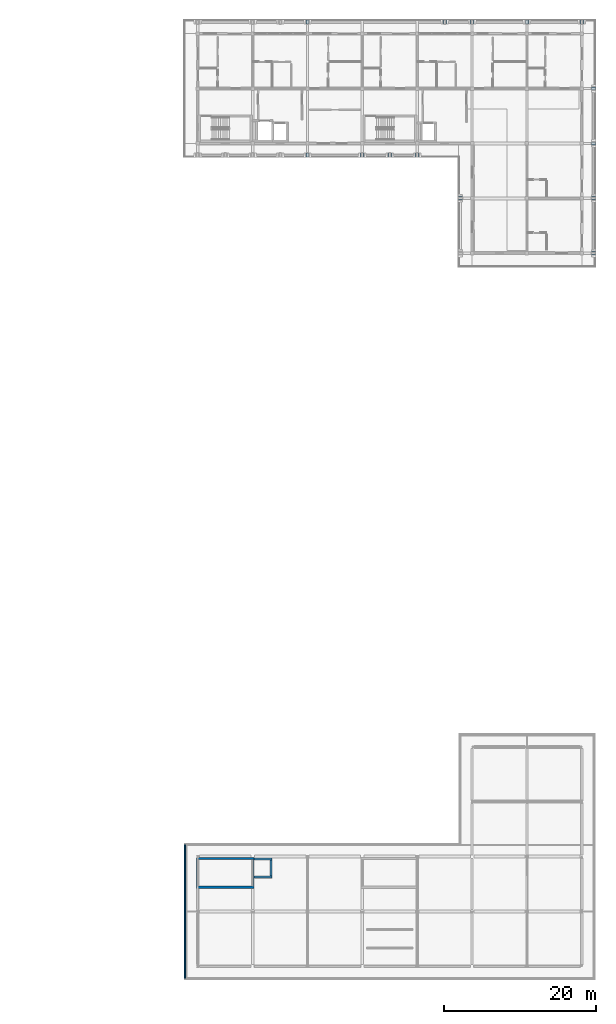
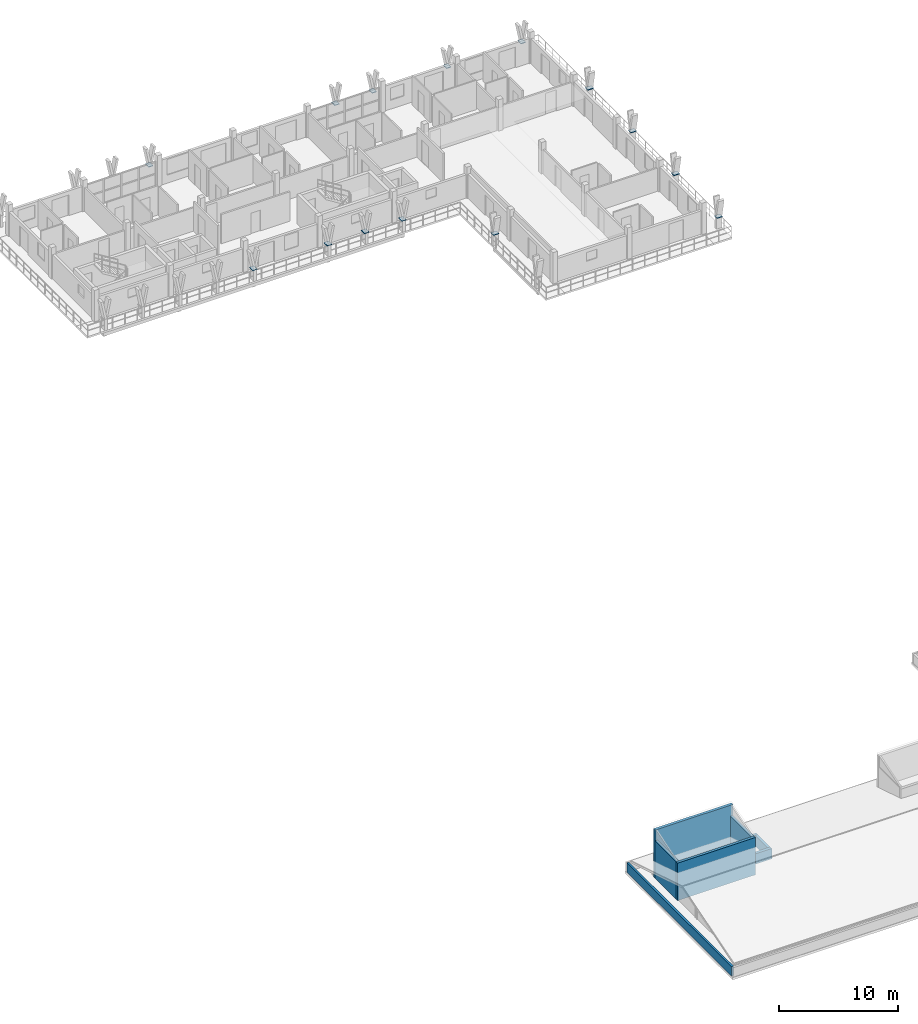
# One storey, part 26 of 45: 14 plates, 8 walls.
"""IFC4 building model written with IfcOpenShell, lengths in metres."""

from ifc_helpers import new_model, si_unit, direction, frame, frame_2d, origin, origin_2d, place, context, subcontext, project, spatial, rectangle, extrude, material, layer, layer_set, type_object, element, save


model = new_model("IFC4")

# Units and contexts
model_context = context("Model", 3, precision=1e-05, world=origin(), true_north=direction((0.0, 1.0)))
body_context = subcontext(model_context, "Body", "Model", "MODEL_VIEW")
ifc_project = project(units=[si_unit("LENGTHUNIT", "METRE"), si_unit("AREAUNIT", "SQUARE_METRE"), si_unit("VOLUMEUNIT", "CUBIC_METRE"), si_unit("PLANEANGLEUNIT", "RADIAN"), si_unit("MASSUNIT", "GRAM", prefix="KILO")], contexts=[model_context])

# Site, building, storey
site_placement = place(None, origin())
site = spatial("IfcSite", under=ifc_project, at=site_placement, CompositionType="ELEMENT")
building_placement = place(site_placement, origin())
building = spatial("IfcBuilding", under=site, at=building_placement, Name="Suanplinth Sawtooth Commons", CompositionType="ELEMENT")
storey_placement = place(building_placement, frame((0.0, 0.0, 38.0)))
storey = spatial("IfcBuildingStorey", under=building, at=storey_placement, Name="L11", CompositionType="ELEMENT", Elevation=38.0)

# Plates
ifc_material_1 = material(Name="Pigmented precast concrete C40/50", Category="concrete")
ifc_layer_1 = layer(ifc_material_1, 0.06005859375, Name="Precast Y-blade bifurcation node plate 60mm")
ifc_layer_set_1 = layer_set([ifc_layer_1], Name="Pigmented precast concrete C40/50")
plate_type = type_object("IfcPlateType", Name="PL-04", PredefinedType="USERDEFINED", material=ifc_layer_set_1)
for number, where, z_axis, x_axis, name in (
    (1, (151.199951171875, 123.919921875, 1.119873046875), (0.0, 0.0, 1.0), (1.0, 0.0, 0.0), "Y-Blade Node Plate L11-B-N-04"),
    (2, (169.199951171875, 123.919921875, 1.119873046875), (0.0, 0.0, 1.0), (1.0, 0.0, 0.0), "Y-Blade Node Plate L11-B-N-05"),
    (3, (172.800048828125, 123.919921875, 1.119873046875), (0.0, 0.0, 1.0), (1.0, 0.0, 0.0), "Y-Blade Node Plate L11-B-N-06"),
    (4, (180.0, 123.919921875, 1.119873046875), (0.0, 0.0, 1.0), (1.0, 0.0, 0.0), "Y-Blade Node Plate L11-B-N-07"),
    (5, (187.199951171875, 123.919921875, 1.119873046875), (0.0, 0.0, 1.0), (1.0, 0.0, 0.0), "Y-Blade Node Plate L11-B-N-08"),
    (6, (188.719970703125, 93.60009765625, 1.119873046875), (0.0, 0.0, 1.0), (0.0, 1.0, 0.0), "Y-Blade Node Plate L11-B-E-09"),
    (7, (188.719970703125, 100.800048828125, 1.119873046875), (0.0, 0.0, 1.0), (0.0, 1.0, 0.0), "Y-Blade Node Plate L11-B-E-10"),
    (8, (188.719970703125, 108.0, 1.119873046875), (0.0, 0.0, 1.0), (0.0, 1.0, 0.0), "Y-Blade Node Plate L11-B-E-11"),
    (9, (188.719970703125, 115.199951171875, 1.119873046875), (0.0, 0.0, 1.0), (0.0, 1.0, 0.0), "Y-Blade Node Plate L11-B-E-12"),
    (10, (151.199951171875, 106.47998046875, 1.119873046875), (0.0, 0.0, 1.0), (1.0, 0.0, 0.0), "Y-Blade Node Plate L11-B-SC-17"),
    (11, (158.39990234375, 106.47998046875, 1.119873046875), (0.0, 0.0, 1.0), (1.0, 0.0, 0.0), "Y-Blade Node Plate L11-B-SC-18"),
    (12, (162.0, 106.47998046875, 1.119873046875), (0.0, 0.0, 1.0), (1.0, 0.0, 0.0), "Y-Blade Node Plate L11-B-SC-19"),
    (13, (165.60009765625, 106.47998046875, 1.119873046875), (0.0, 0.0, 1.0), (1.0, 0.0, 0.0), "Y-Blade Node Plate L11-B-SC-20"),
    (14, (171.280029296875, 100.800048828125, 1.119873046875), (0.0, 0.0, 1.0), (0.0, 1.0, 0.0), "Y-Blade Node Plate L11-B-WC-22"),
):
    element("IfcPlate", number, at=place(storey_placement, frame(where, z_axis=z_axis, x_axis=x_axis)), inside=storey, type_object=plate_type, Name=name, ObjectType="GUSSET PLATE", PredefinedType="USERDEFINED", context=body_context, shape_type="SweptSolid", body=[
        extrude(rectangle(XDim=0.43994140625, YDim=0.550048828125, at=origin_2d()), origin(), (0.0, 0.0, 1.0), 0.06005859375),
    ])

# Walls
ifc_material_2 = material(Name="Precast concrete C40/50", Category="concrete")
ifc_layer_2 = layer(ifc_material_2, 0.199951171875, Name="Roof perimeter precast parapet wall 200mm")
ifc_layer_set_2 = layer_set([ifc_layer_2], Name="Precast concrete C40/50")
wall_type_1 = type_object("IfcWallType", Name="W-PR01", PredefinedType="PARAPET", material=ifc_layer_set_2)
wall_1_placement = place(storey_placement, frame((135.139892578125, -1.56005859375, 0.0), z_axis=(0.0, 0.0, 1.0), x_axis=(0.0, 1.0, 0.0)))
element("IfcWall", 15, at=wall_1_placement, inside=storey, type_object=wall_type_1, Name="L11 Block C Overhanging Roof Edge Parapet 2", PredefinedType="PARAPET", context=body_context, shape_type="SweptSolid", body=[
    extrude(rectangle(XDim=17.52001953125, YDim=0.199951171875, at=frame_2d((8.760009765625, 0.0))), origin(), (0.0, 0.0, 1.0), 0.949951171875),
])
ifc_layer_3 = layer(ifc_material_2, 0.27001953125, Name="Exterior lift-overrun structural shear wall 270mm")
ifc_layer_set_3 = layer_set([ifc_layer_3], Name="Precast concrete C40/50")
wall_type_2 = type_object("IfcWallType", Name="W-SH02", PredefinedType="SHEAR", material=ifc_layer_set_3)
wall_2_placement = place(storey_placement, frame((136.635009765625, 10.3701171875, 0.0), z_axis=(0.0, 0.0, 1.0), x_axis=(1.0, 0.0, 0.0)))
element("IfcWall", 16, at=wall_2_placement, inside=storey, type_object=wall_type_2, Name="Stair ST-S1 Headhouse Wall S", PredefinedType="SHEAR", context=body_context, shape_type="SweptSolid", body=[
    extrude(rectangle(XDim=7.530029296875, YDim=0.27001953125, at=frame_2d((3.76513671875, 0.0))), origin(), (0.0, 0.0, 1.0), 3.820068359375),
])
wall_3_placement = place(storey_placement, frame((136.635009765625, 14.1298828125, 0.0), z_axis=(0.0, 0.0, 1.0), x_axis=(1.0, 0.0, 0.0)))
element("IfcWall", 17, at=wall_3_placement, inside=storey, type_object=wall_type_2, Name="Stair ST-S1 Headhouse Wall N", PredefinedType="SHEAR", context=body_context, shape_type="SweptSolid", body=[
    extrude(rectangle(XDim=7.530029296875, YDim=0.27001953125, at=frame_2d((3.76513671875, 0.0))), origin(), (0.0, 0.0, 1.0), 4.919921875),
])
for number, where, z_axis, x_axis, name in (
    (18, (136.77001953125, 10.5048828125, 0.0), (0.0, 0.0, 1.0), (0.0, 1.0, 0.0), "Stair ST-S1 Headhouse Wall W"),
    (19, (144.030029296875, 10.5048828125, 0.0), (0.0, 0.0, 1.0), (0.0, 1.0, 0.0), "Stair ST-S1 Headhouse Wall E"),
):
    element("IfcWall", number, at=place(storey_placement, frame(where, z_axis=z_axis, x_axis=x_axis)), inside=storey, type_object=wall_type_2, Name=name, PredefinedType="SHEAR", context=body_context, shape_type="SweptSolid", body=[
        extrude(rectangle(XDim=3.490234375, YDim=0.27001953125, at=frame_2d((1.7451171875, 0.0))), origin(), (0.0, 0.0, 1.0), 3.820068359375),
    ])
for number, where, z_axis, x_axis, name in (
    (20, (144.1650390625, 11.715087890625, 0.0), (0.0, 0.0, 1.0), (1.0, 0.0, 0.0), "Lift Overrun Wall LF5 S"),
    (21, (144.1650390625, 14.0849609375, 0.0), (0.0, 0.0, 1.0), (1.0, 0.0, 0.0), "Lift Overrun Wall LF5 N"),
):
    element("IfcWall", number, at=place(storey_placement, frame(where, z_axis=z_axis, x_axis=x_axis)), inside=storey, type_object=wall_type_2, Name=name, PredefinedType="SHEAR", context=body_context, shape_type="SweptSolid", body=[
        extrude(rectangle(XDim=2.35498046875, YDim=0.27001953125, at=frame_2d((1.177490234375, 0.0))), origin(), (0.0, 0.0, 1.0), 1.050048828125),
    ])
wall_4_placement = place(storey_placement, frame((146.385009765625, 11.85009765625, 0.0), z_axis=(0.0, 0.0, 1.0), x_axis=(0.0, 1.0, 0.0)))
element("IfcWall", 22, at=wall_4_placement, inside=storey, type_object=wall_type_2, Name="Lift Overrun Wall LF5 E", PredefinedType="SHEAR", context=body_context, shape_type="SweptSolid", body=[
    extrude(rectangle(XDim=2.099853515625, YDim=0.27001953125, at=frame_2d((1.0498046875, 0.0))), origin(), (0.0, 0.0, 1.0), 1.050048828125),
])

save(model, "model.ifc")
